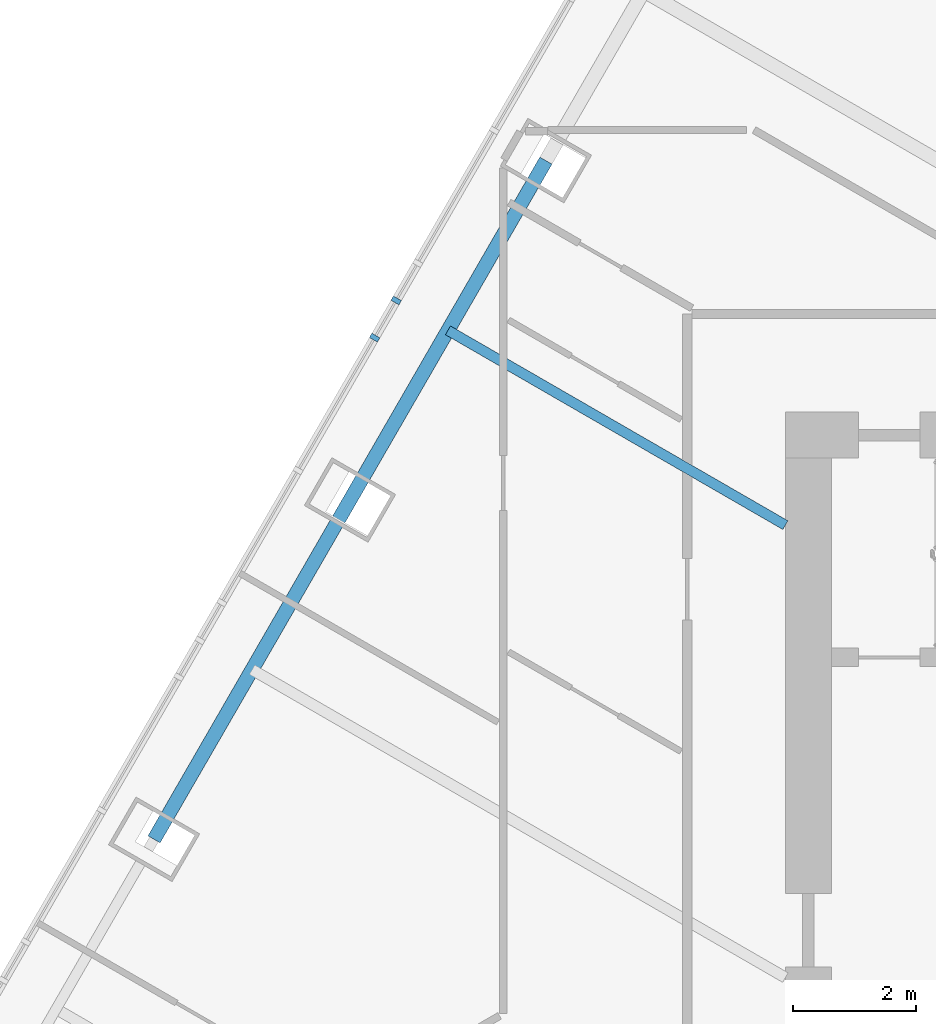
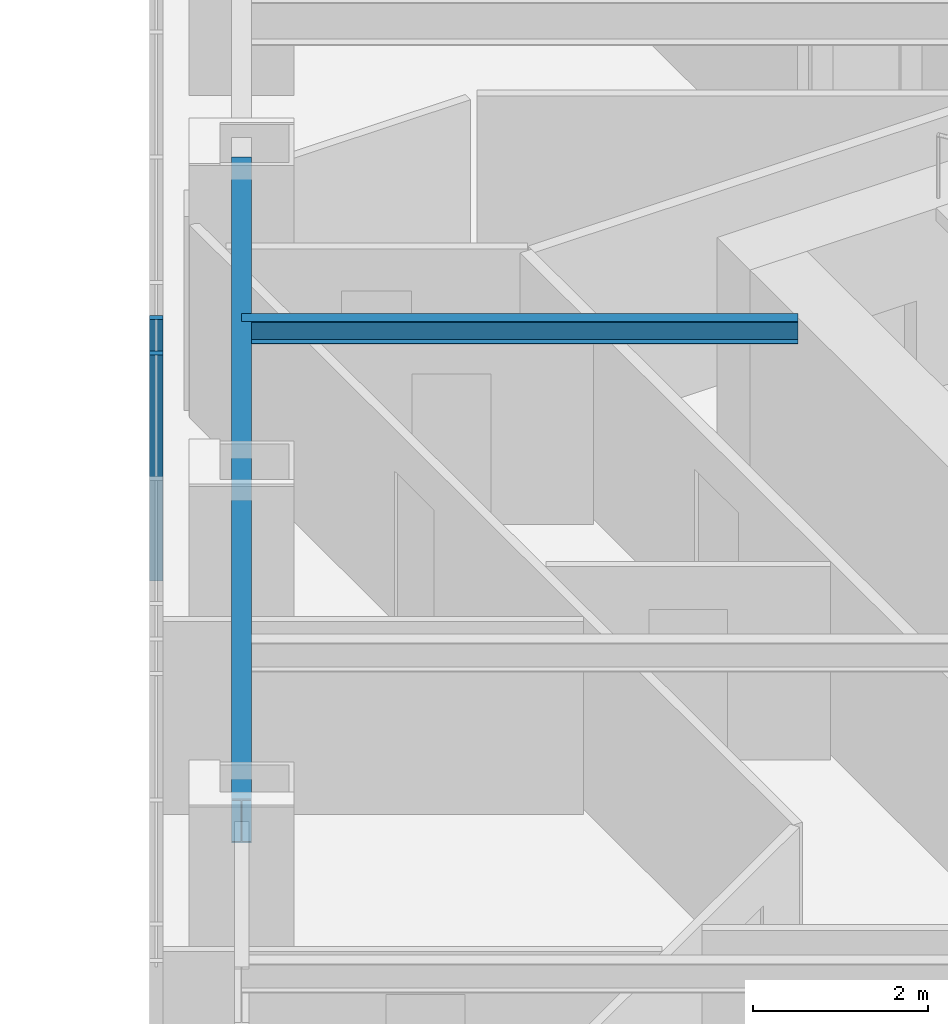
# One storey, part 5 of 26: 2 beams, 2 members, 1 element without a shape of its own.
"""IFC4 building model written with IfcOpenShell, lengths in metres."""

from ifc_helpers import new_model, si_unit, direction, frame, origin, origin_2d, place, context, subcontext, project, spatial, rectangle, i_section, extrude, material, layer, layer_set, material_profile, profile_set, type_object, element, aggregate, save


model = new_model("IFC4")

# Units and contexts
model_context = context("Model", 3, precision=1e-05, world=origin(), true_north=direction((0.0, 1.0)))
body_context = subcontext(model_context, "Body", "Model", "MODEL_VIEW")
ifc_project = project(units=[si_unit("LENGTHUNIT", "METRE"), si_unit("AREAUNIT", "SQUARE_METRE"), si_unit("VOLUMEUNIT", "CUBIC_METRE"), si_unit("PLANEANGLEUNIT", "RADIAN"), si_unit("MASSUNIT", "GRAM", prefix="KILO")], contexts=[model_context])

# Site, building, storey
site_placement = place(None, origin())
site = spatial("IfcSite", under=ifc_project, at=site_placement, CompositionType="ELEMENT")
building_placement = place(site_placement, origin())
building = spatial("IfcBuilding", under=site, at=building_placement, Name="Firuza Gate Tower and Library", CompositionType="ELEMENT")
storey_placement = place(building_placement, frame((0.0, 0.0, 288.10009765625)))
storey = spatial("IfcBuildingStorey", under=building, at=storey_placement, Name="L69", CompositionType="ELEMENT", Elevation=288.10009765625)

# Curtain wall, members
ifc_material_1 = material(Name="Aluminium 6063-T6", Category="aluminium")
ifc_layer = layer(ifc_material_1, 0.14990234375)
ifc_layer_set = layer_set([ifc_layer], Name="Unitised curtain wall, residences")
curtain_wall_type = type_object("IfcCurtainWallType", Name="Unitised curtain wall, residences", PredefinedType="NOTDEFINED", material=ifc_layer_set)
curtain_wall_placement = place(storey_placement, origin())
curtain_wall = element("IfcCurtainWall", 1, at=curtain_wall_placement, inside=storey, type_object=curtain_wall_type, Name="CW3 L69 W face", PredefinedType="NOTDEFINED")
ifc_material_2 = material(Name="Aluminium 6063-T6", Category="aluminium")
ifc_material_profile_1 = material_profile(ifc_material_2, rectangle(XDim=0.14990234375, YDim=0.080078125, at=origin_2d()))
ifc_profile_set_1 = profile_set([ifc_material_profile_1], Name="Aluminium 6063-T6")
member_type = type_object("IfcMemberType", Name="Curtain wall mullion 80x150", PredefinedType="MULLION", material=ifc_profile_set_1)
member_1_placement = place(storey_placement, frame((60.15380859375, 83.571533203125, 0.14990234375), z_axis=(0.0, 0.0, 1.0), x_axis=(0.866025403784, -0.5, 0.0)))
member_1 = element("IfcMember", 2, at=member_1_placement, type_object=member_type, Name="Mullion", PredefinedType="MULLION", context=body_context, shape_type="SweptSolid", body=[
    extrude(rectangle(XDim=0.14990234375, YDim=0.080078125, at=origin_2d()), origin(), (0.0, 0.0, 1.0), 3.14990234375),
])
member_2_placement = place(storey_placement, frame((59.802978515625, 82.964111328125, 0.14990234375), z_axis=(0.0, 0.0, 1.0), x_axis=(0.866025403784, -0.5, 0.0)))
member_2 = element("IfcMember", 3, at=member_2_placement, type_object=member_type, Name="Mullion", PredefinedType="MULLION", context=body_context, shape_type="SweptSolid", body=[
    extrude(rectangle(XDim=0.14990234375, YDim=0.080078125, at=origin_2d()), origin(), (0.0, 0.0, 1.0), 3.14990234375),
])
aggregate(curtain_wall, [member_1, member_2])

# Beams
ifc_material_3 = material(Name="Steel S355", Category="steel")
ifc_material_profile_2 = material_profile(ifc_material_3, i_section(OverallWidth=0.1650390625, OverallDepth=0.31005859375, WebThickness=0.005859375, FlangeThickness=0.009765625, at=origin_2d()))
ifc_profile_set_2 = profile_set([ifc_material_profile_2], Name="Steel S355")
beam_type_1 = type_object("IfcBeamType", Name="W310x39 Floor beam", PredefinedType="JOIST", material=ifc_profile_set_2)
beam_1_placement = place(storey_placement, frame((60.998046875, 83.083984375, 3.14501953125), z_axis=(0.866028160477, -0.499995225238, 0.0), x_axis=(0.499995225238, 0.866028160477, 0.0)))
element("IfcBeam", 4, at=beam_1_placement, inside=storey, type_object=beam_type_1, Name="Floor beam L69 s82", PredefinedType="JOIST", context=body_context, shape_type="SweptSolid", body=[
    extrude(i_section(OverallWidth=0.1650390625, OverallDepth=0.31005859375, WebThickness=0.005859375, FlangeThickness=0.009765625, at=origin_2d()), origin(), (0.0, 0.0, 1.0), 6.35302734375),
])
ifc_material_4 = material(Name="Steel S355", Category="steel")
ifc_material_profile_3 = material_profile(ifc_material_4, i_section(OverallWidth=0.22900390625, OverallDepth=0.612060546875, WebThickness=0.011962890625, FlangeThickness=0.01953125, at=origin_2d()))
ifc_profile_set_3 = profile_set([ifc_material_profile_3], Name="Steel S355")
beam_type_2 = type_object("IfcBeamType", Name="W610x125 Edge beam", PredefinedType="SPANDREL", material=ifc_profile_set_3)
beam_2_placement = place(storey_placement, frame((62.595458984375, 85.8505859375, 2.993896484375), z_axis=(-0.500004150346, -0.866023007568, 0.0), x_axis=(0.866023007568, -0.500004150346, 0.0)))
element("IfcBeam", 5, at=beam_2_placement, inside=storey, type_object=beam_type_2, Name="Edge beam L69 e82", PredefinedType="SPANDREL", context=body_context, shape_type="SweptSolid", body=[
    extrude(i_section(OverallWidth=0.22900390625, OverallDepth=0.612060546875, WebThickness=0.011962890625, FlangeThickness=0.01953125, at=origin_2d()), origin(), (0.0, 0.0, 1.0), 12.77880859375),
])

save(model, "model.ifc")
